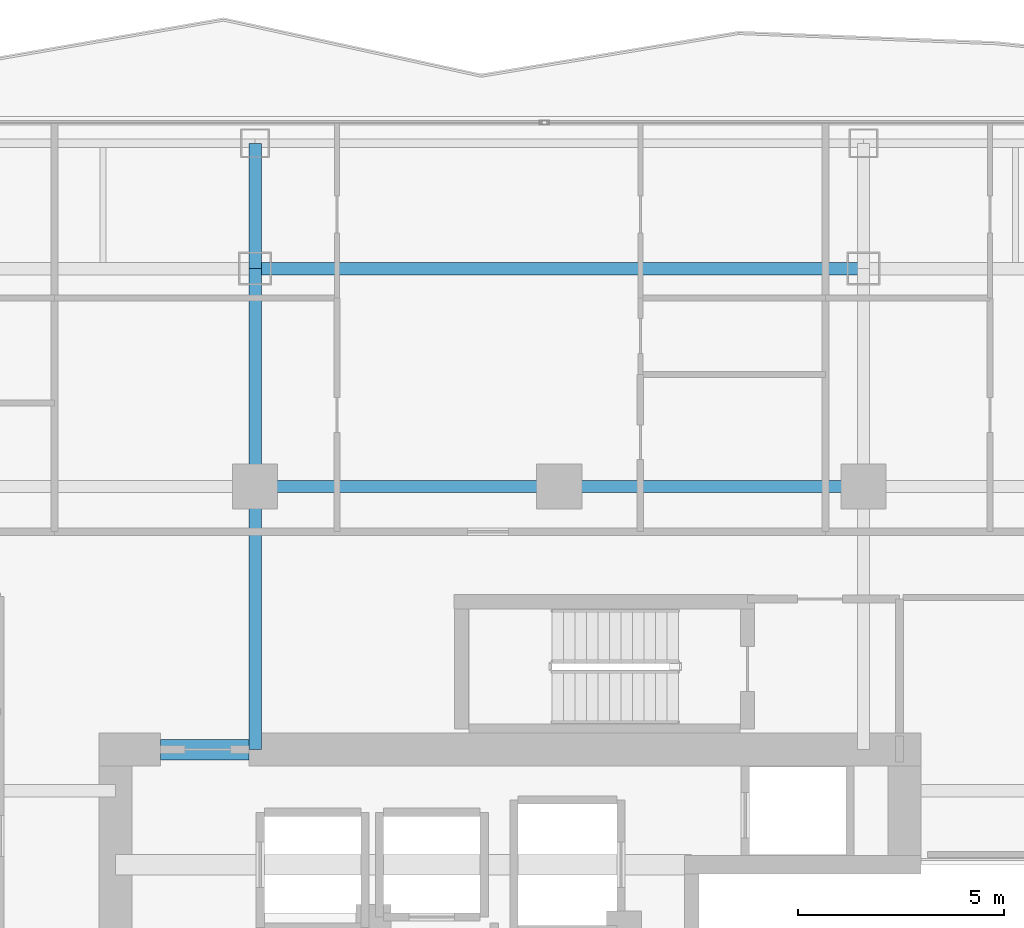
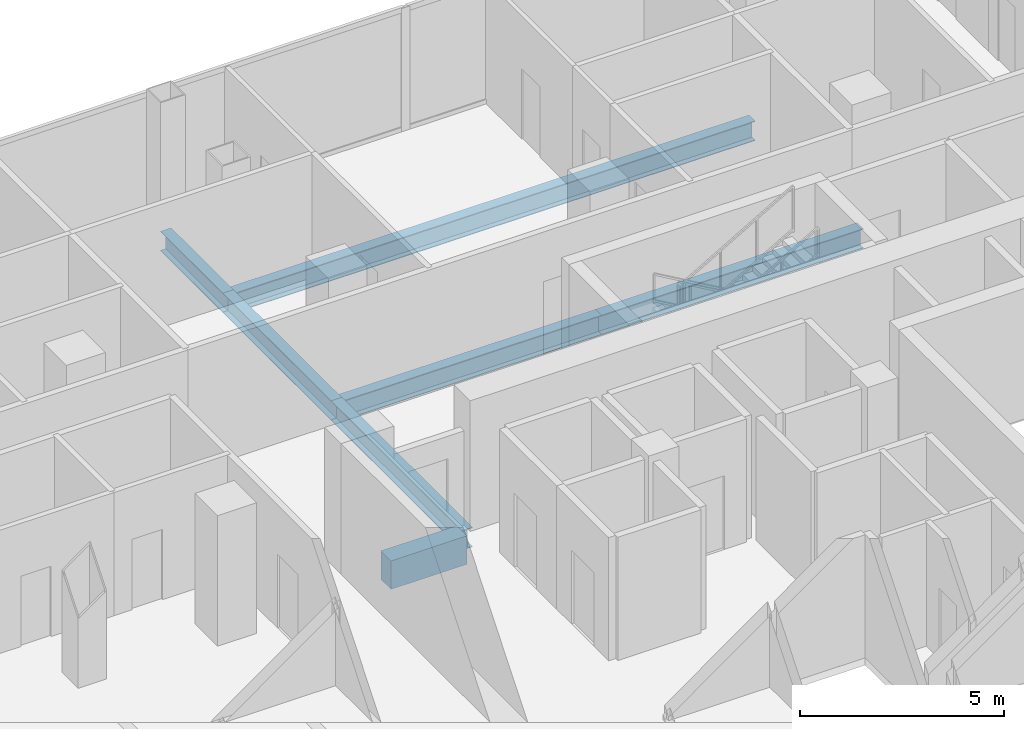
# One storey, part 12 of 27: 7 beams.
"""IFC4 building model written with IfcOpenShell, lengths in metres."""

from ifc_helpers import new_model, si_unit, direction, frame, origin, origin_2d, place, context, subcontext, project, spatial, rectangle, i_section, extrude, material, material_profile, profile_set, type_object, element, save


model = new_model("IFC4")

# Units and contexts
model_context = context("Model", 3, precision=1e-05, world=origin(), true_north=direction((0.0, 1.0)))
body_context = subcontext(model_context, "Body", "Model", "MODEL_VIEW")
ifc_project = project(units=[si_unit("LENGTHUNIT", "METRE"), si_unit("AREAUNIT", "SQUARE_METRE"), si_unit("VOLUMEUNIT", "CUBIC_METRE"), si_unit("PLANEANGLEUNIT", "RADIAN"), si_unit("MASSUNIT", "GRAM", prefix="KILO")], contexts=[model_context])

# Site, building, storey
site_placement = place(None, origin())
site = spatial("IfcSite", under=ifc_project, at=site_placement, CompositionType="ELEMENT")
building_placement = place(site_placement, origin())
building = spatial("IfcBuilding", under=site, at=building_placement, Name="Khorvyn Point Tower", CompositionType="ELEMENT")
storey_placement = place(building_placement, frame((0.0, 0.0, 179.699951171875)))
storey = spatial("IfcBuildingStorey", under=building, at=storey_placement, Name="L44", CompositionType="ELEMENT", Elevation=179.699951171875)

# Beams
ifc_material_1 = material(Name="Concrete C45/55", Category="concrete")
ifc_material_profile_1 = material_profile(ifc_material_1, rectangle(XDim=0.5, YDim=0.85009765625, at=origin_2d()))
ifc_profile_set_1 = profile_set([ifc_material_profile_1], Name="Concrete C45/55 RC500x850")
beam_type_1 = type_object("IfcBeamType", Name="Concrete C45/55 Beam RC500x850", PredefinedType="BEAM", material=ifc_profile_set_1)
beam_1_placement = place(storey_placement, frame((-9.699951171875, 8.39990234375, -0.64501953125), z_axis=(1.0, 0.0, 0.0), x_axis=(0.0, 1.0, 0.0)))
element("IfcBeam", 1, at=beam_1_placement, inside=storey, type_object=beam_type_1, Name="L44 Core Northwest Portal Coupling Beam", PredefinedType="BEAM", context=body_context, shape_type="SweptSolid", body=[
    extrude(rectangle(XDim=0.5, YDim=0.85009765625, at=origin_2d()), origin(), (0.0, 0.0, 1.0), 2.14990234375),
])
ifc_material_2 = material(Name="Steel S355", Category="steel")
ifc_material_profile_2 = material_profile(ifc_material_2, i_section(OverallWidth=0.300048828125, OverallDepth=0.587890625, WebThickness=0.011962890625, FlangeThickness=0.02001953125, at=origin_2d()))
ifc_profile_set_2 = profile_set([ifc_material_profile_2], Name="Steel S355 H588x300x12x20")
beam_type_2 = type_object("IfcBeamType", Name="Steel S355 Beam H588x300x12x20", PredefinedType="BEAM", material=ifc_profile_set_2)
for number, where, z_axis, x_axis, name in (
    (2, (-7.39990234375, 14.800048828125, -0.513916015625), (1.0, 0.0, 0.0), (0.0, 1.0, 0.0), "Beam"),
    (3, (0.0, 14.800048828125, -0.513916015625), (1.0, 0.0, 0.0), (0.0, 1.0, 0.0), "Beam"),
):
    element("IfcBeam", number, at=place(storey_placement, frame(where, z_axis=z_axis, x_axis=x_axis)), inside=storey, type_object=beam_type_2, Name=name, PredefinedType="BEAM", context=body_context, shape_type="SweptSolid", body=[
        extrude(i_section(OverallWidth=0.300048828125, OverallDepth=0.587890625, WebThickness=0.011962890625, FlangeThickness=0.02001953125, at=origin_2d()), origin(), (0.0, 0.0, 1.0), 7.39990234375),
    ])
beam_2_placement = place(storey_placement, frame((-7.39990234375, 20.10009765625, -0.513916015625), z_axis=(1.0, 0.0, 0.0), x_axis=(0.0, 1.0, 0.0)))
element("IfcBeam", 4, at=beam_2_placement, inside=storey, type_object=beam_type_2, Name="Beam", PredefinedType="BEAM", context=body_context, shape_type="SweptSolid", body=[
    extrude(i_section(OverallWidth=0.300048828125, OverallDepth=0.587890625, WebThickness=0.011962890625, FlangeThickness=0.02001953125, at=origin_2d()), origin(), (0.0, 0.0, 1.0), 14.7998046875),
])
beam_3_placement = place(storey_placement, frame((-7.39990234375, 8.39990234375, -0.513916015625), z_axis=(0.0, 1.0, 0.0), x_axis=(-1.0, 0.0, 0.0)))
element("IfcBeam", 5, at=beam_3_placement, inside=storey, type_object=beam_type_2, Name="Beam", PredefinedType="BEAM", context=body_context, shape_type="SweptSolid", body=[
    extrude(i_section(OverallWidth=0.300048828125, OverallDepth=0.587890625, WebThickness=0.011962890625, FlangeThickness=0.02001953125, at=origin_2d()), origin(), (0.0, 0.0, 1.0), 6.400146484375),
])
beam_4_placement = place(storey_placement, frame((-7.39990234375, 14.800048828125, -0.513916015625), z_axis=(0.0, 1.0, 0.0), x_axis=(-1.0, 0.0, 0.0)))
element("IfcBeam", 6, at=beam_4_placement, inside=storey, type_object=beam_type_2, Name="Beam", PredefinedType="BEAM", context=body_context, shape_type="SweptSolid", body=[
    extrude(i_section(OverallWidth=0.300048828125, OverallDepth=0.587890625, WebThickness=0.011962890625, FlangeThickness=0.02001953125, at=origin_2d()), origin(), (0.0, 0.0, 1.0), 5.300048828125),
])
beam_5_placement = place(storey_placement, frame((-7.39990234375, 20.10009765625, -0.513916015625), z_axis=(0.0, 1.0, 0.0), x_axis=(-1.0, 0.0, 0.0)))
element("IfcBeam", 7, at=beam_5_placement, inside=storey, type_object=beam_type_2, Name="Beam", PredefinedType="BEAM", context=body_context, shape_type="SweptSolid", body=[
    extrude(i_section(OverallWidth=0.300048828125, OverallDepth=0.587890625, WebThickness=0.011962890625, FlangeThickness=0.02001953125, at=origin_2d()), origin(), (0.0, 0.0, 1.0), 3.0498046875),
])

save(model, "model.ifc")
